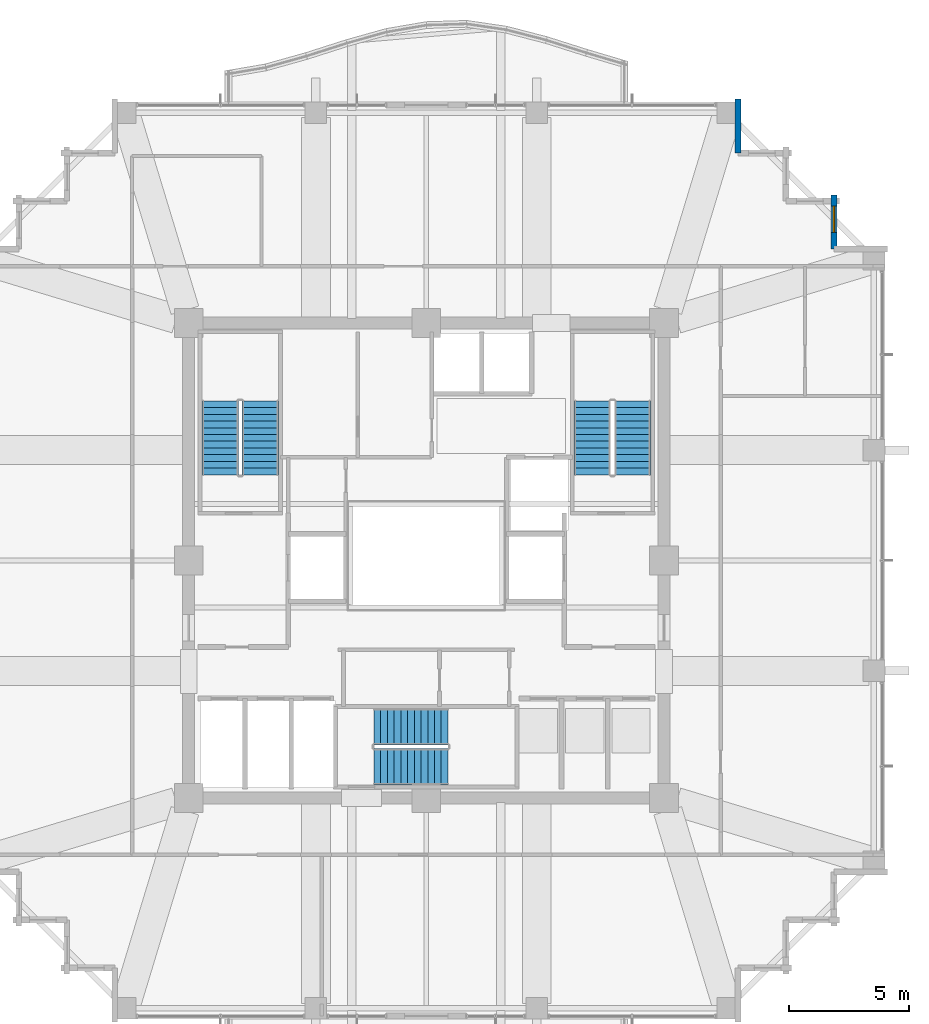
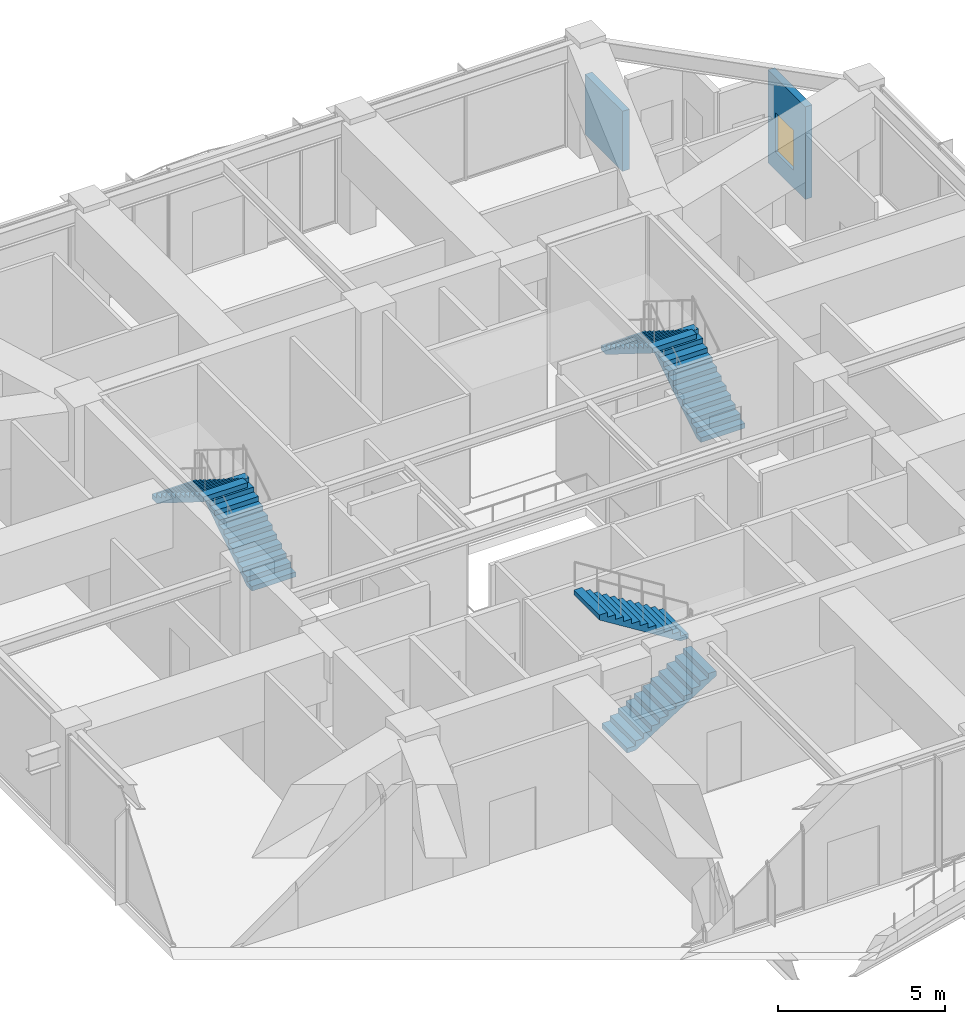
# One storey, part 30 of 33: 6 stair flights, 2 walls, 1 window, 1 opening, 3 elements without a shape of their own.
"""IFC4 building model written with IfcOpenShell, lengths in metres."""

import ifcopenshell
import ifcopenshell.guid

model = None  # the IFC model being written
_history = None  # IfcOwnerHistory: only IFC2X3 demands one
_inside = {}  # id of a spatial element -> (the spatial element, [elements in it])
_under = {}  # id of a project, library or spatial element -> (it, [spatial elements below it])
_declared = {}  # id of a project -> (the project, [libraries it declares])
_typed = {}  # id of a type object -> (the type object, [elements of that type])
_made_of = {}  # id of a material, layer set ... -> (it, [elements and type objects made of it])


def new_model(schema):
    """Start an empty IFC model of exactly this schema.

    Asked for "IFC4X3", IfcOpenShell would pick the latest addendum, in which some entities
    have other attributes; the version numbers below select the first issue.
    IFC2X3 requires an IfcOwnerHistory on every rooted entity: one is made here for all.
    """
    global model, _history
    if schema == "IFC4X3":
        model = ifcopenshell.file(schema_version=(4, 3, 0, 0))
    else:
        model = ifcopenshell.file(schema=schema)
    _inside.clear()
    _under.clear()
    _declared.clear()
    _typed.clear()
    _made_of.clear()
    _history = None
    if model.schema == "IFC2X3":
        org = make("IfcOrganization", Name="unknown")
        user = make(
            "IfcPersonAndOrganization",
            ThePerson=make("IfcPerson", FamilyName="unknown"),
            TheOrganization=org,
        )
        app = make(
            "IfcApplication",
            ApplicationDeveloper=org,
            Version="unknown",
            ApplicationFullName="unknown",
            ApplicationIdentifier="unknown",
        )
        _history = make(
            "IfcOwnerHistory",
            OwningUser=user,
            OwningApplication=app,
            ChangeAction="ADDED",
            CreationDate=0,
        )
    return model


def make(cls, **values):
    """One entity of the class cls with the attributes given. An attribute that is None is left unset."""
    return model.create_entity(
        cls, **{name: value for name, value in values.items() if value is not None}
    )


def rooted(cls, **values):
    """An entity with a GlobalId (a new one), such as an element, a storey or a relation."""
    return make(cls, GlobalId=ifcopenshell.guid.new(), OwnerHistory=_history, **values)


def si_unit(unit_type, name, prefix=None):
    """IfcSIUnit, for example si_unit("LENGTHUNIT", "METRE", prefix="MILLI")."""
    return make("IfcSIUnit", UnitType=unit_type, Prefix=prefix, Name=name)


def assignment(units):
    """IfcUnitAssignment: the units of a project."""
    return None if units is None else make("IfcUnitAssignment", Units=units)


def point(xyz):
    """IfcCartesianPoint."""
    return None if xyz is None else make("IfcCartesianPoint", Coordinates=xyz)


def direction(xyz):
    """IfcDirection."""
    return None if xyz is None else make("IfcDirection", DirectionRatios=xyz)


def frame(location, z_axis=None, x_axis=None):
    """IfcAxis2Placement3D, a coordinate frame: its origin and axes. An axis left out is left unset."""
    return make(
        "IfcAxis2Placement3D",
        Location=point(location),
        Axis=direction(z_axis),
        RefDirection=direction(x_axis),
    )


def frame_2d(location, x_axis=None):
    """IfcAxis2Placement2D, a coordinate frame in the plane: its origin and x axis."""
    return make(
        "IfcAxis2Placement2D", Location=point(location), RefDirection=direction(x_axis)
    )


def origin():
    """The frame at (0, 0, 0) with its axes left unset."""
    return frame((0.0, 0.0, 0.0))


def place(relative_to, where):
    """IfcLocalPlacement: puts the frame where relative to a parent placement (None: the world)."""
    return make(
        "IfcLocalPlacement", PlacementRelTo=relative_to, RelativePlacement=where
    )


def context(
    kind, dimensions, precision=None, world=None, true_north=None, identifier=None
):
    """IfcGeometricRepresentationContext, for example the 3D "Model" context."""
    return make(
        "IfcGeometricRepresentationContext",
        ContextIdentifier=identifier,
        ContextType=kind,
        CoordinateSpaceDimension=dimensions,
        Precision=precision,
        WorldCoordinateSystem=world,
        TrueNorth=true_north,
    )


def subcontext(parent, identifier, kind, view, scale=None):
    """IfcGeometricRepresentationSubContext, for example "Body" below "Model"."""
    return make(
        "IfcGeometricRepresentationSubContext",
        ContextIdentifier=identifier,
        ContextType=kind,
        ParentContext=parent,
        TargetScale=scale,
        TargetView=view,
    )


def project(units=None, contexts=None):
    """IfcProject with its units and contexts."""
    return rooted(
        "IfcProject",
        Name="project",
        RepresentationContexts=contexts,
        UnitsInContext=assignment(units),
    )


def spatial(cls, under=None, at=None, **own):
    """A site, building, storey or space (cls), placed at a placement, below another one or the project."""
    s = rooted(cls, ObjectPlacement=at, **own)
    if under is not None:
        _under.setdefault(under.id(), (under, []))[1].append(s)
    return s


def polyline(points):
    """IfcPolyline through the points."""
    return make("IfcPolyline", Points=[point(p) for p in points])


def profile(cls, at=None, kind="AREA", **sizes):
    """A parametric profile (cls). Its sizes go by their IFC names, for example OverallWidth=200.0."""
    return make(cls, ProfileType=kind, Position=at, **sizes)


def rectangle(**sizes):
    """IfcRectangleProfileDef."""
    return profile("IfcRectangleProfileDef", **sizes)


def outline(outer, holes=None, kind="AREA"):
    """IfcArbitraryClosedProfileDef: a profile drawn as a closed curve; with holes, ...WithVoids."""
    if holes is None:
        return make("IfcArbitraryClosedProfileDef", ProfileType=kind, OuterCurve=outer)
    return make(
        "IfcArbitraryProfileDefWithVoids",
        ProfileType=kind,
        OuterCurve=outer,
        InnerCurves=holes,
    )


def extrude(swept, where, along, depth):
    """IfcExtrudedAreaSolid: the profile swept, set in the frame where, extruded along a direction by depth."""
    return make(
        "IfcExtrudedAreaSolid",
        SweptArea=swept,
        Position=where,
        ExtrudedDirection=direction(along),
        Depth=depth,
    )


def shape(context_of_items, identifier, shape_type, items):
    """IfcShapeRepresentation: the items that make up one representation, for example the "Body"."""
    return make(
        "IfcShapeRepresentation",
        ContextOfItems=context_of_items,
        RepresentationIdentifier=identifier,
        RepresentationType=shape_type,
        Items=items,
    )


def material(Name=None, Category=None):
    """IfcMaterial."""
    return make("IfcMaterial", Name=Name, Category=Category)


def layer(
    of_material, thickness, ventilated=None, Name=None, Category=None, Priority=None
):
    """IfcMaterialLayer: one layer of a wall or slab, of a material (None: an air gap)."""
    return make(
        "IfcMaterialLayer",
        Material=of_material,
        LayerThickness=thickness,
        IsVentilated=ventilated,
        Name=Name,
        Category=Category,
        Priority=Priority,
    )


def layer_set(layers, Name=None):
    """IfcMaterialLayerSet."""
    return make("IfcMaterialLayerSet", MaterialLayers=layers, LayerSetName=Name)


def made_of(thing, what):
    """Note that an element or type object is made of a material, layer set ...; save() writes the relation."""
    if what is not None:
        _made_of.setdefault(what.id(), (what, []))[1].append(thing)
    return thing


def type_object(cls, material=None, **own):
    """A type object (cls), such as IfcWallType, which elements share."""
    return made_of(rooted(cls, **own), material)


def element(
    cls,
    number,
    at=None,
    inside=None,
    cuts=None,
    type_object=None,
    material=None,
    context=None,
    identifier="Body",
    shape_type=None,
    held_by="IfcProductDefinitionShape",
    body=None,
    shapes=None,
    **own,
):
    """One element of the class cls, such as IfcWall. Its Tag is "e" and its number.

    at: its placement. inside: the storey or other place that contains it. cuts: it is an
    opening in that element (IfcRelVoidsElement). A single representation is given by context,
    identifier, shape_type and body (its items); several are given by shapes. held_by: the class
    of the entity that holds the representations. save() writes the other relations.
    """
    e = rooted(cls, Tag="e%d" % number, ObjectPlacement=at, **own)
    if body is not None:
        shapes = [shape(context, identifier, shape_type, body)]
    if shapes is not None:
        e.Representation = make(held_by, Representations=shapes)
    if inside is not None:
        _inside.setdefault(inside.id(), (inside, []))[1].append(e)
    if cuts is not None:
        rooted(
            "IfcRelVoidsElement", RelatingBuildingElement=cuts, RelatedOpeningElement=e
        )
    if type_object is not None:
        _typed.setdefault(type_object.id(), (type_object, []))[1].append(e)
    return made_of(e, material)


def fill(opening, filler):
    """IfcRelFillsElement: the door or window that sits in an opening."""
    return rooted(
        "IfcRelFillsElement",
        RelatingOpeningElement=opening,
        RelatedBuildingElement=filler,
    )


def aggregate(whole, parts):
    """IfcRelAggregates: a whole, such as a stair, and the parts it consists of."""
    return rooted("IfcRelAggregates", RelatingObject=whole, RelatedObjects=parts)


def save(model, path):
    """Write the relations noted so far, then the file.

    IfcRelAggregates (storeys below a building ...), IfcRelContainedInSpatialStructure (elements
    in a storey), IfcRelDefinesByType, IfcRelAssociatesMaterial and IfcRelDeclares: one each for
    every whole, place, type object, material and project.
    """
    for whole, parts in _under.values():
        aggregate(whole, parts)
    for where, things in _inside.values():
        rooted(
            "IfcRelContainedInSpatialStructure",
            RelatedElements=things,
            RelatingStructure=where,
        )
    for kind, things in _typed.values():
        rooted("IfcRelDefinesByType", RelatedObjects=things, RelatingType=kind)
    for what, things in _made_of.values():
        rooted("IfcRelAssociatesMaterial", RelatedObjects=things, RelatingMaterial=what)
    for by, libraries in _declared.values():
        rooted("IfcRelDeclares", RelatingContext=by, RelatedDefinitions=libraries)
    model.write(path)


model = new_model("IFC4")

# Units and contexts
model_context = context("Model", 3, precision=1e-05, world=origin(), true_north=direction((0.0, 1.0)))
body_context = subcontext(model_context, "Body", "Model", "MODEL_VIEW")
ifc_project = project(units=[si_unit("LENGTHUNIT", "METRE"), si_unit("AREAUNIT", "SQUARE_METRE"), si_unit("VOLUMEUNIT", "CUBIC_METRE"), si_unit("PLANEANGLEUNIT", "RADIAN"), si_unit("MASSUNIT", "GRAM", prefix="KILO")], contexts=[model_context])

# Site, building, storey
site_placement = place(None, origin())
site = spatial("IfcSite", under=ifc_project, at=site_placement, CompositionType="ELEMENT")
building_placement = place(site_placement, origin())
building = spatial("IfcBuilding", under=site, at=building_placement, Name="Kolvaren Belvedere", CompositionType="ELEMENT")
storey_placement = place(building_placement, frame((0.0, 0.0, 152.699951171875)))
storey = spatial("IfcBuildingStorey", under=building, at=storey_placement, Name="L44", CompositionType="ELEMENT", Elevation=152.699951171875)

# Wall, opening, window
ifc_material_1 = material(Name="Insulated pale-metal facade wall assembly", Category="aluminium")
ifc_layer = layer(ifc_material_1, 0.239990234375)
ifc_layer_set = layer_set([ifc_layer], Name="Insulated pale-metal facade wall assembly")
wall_type = type_object("IfcWallType", Name="WL-EXT-240", PredefinedType="STANDARD", material=ifc_layer_set)
wall_1_placement = place(storey_placement, frame((16.97998046875, 15.219970703125, 0.0), z_axis=(0.0, 0.0, 1.0), x_axis=(0.0, -1.0, 0.0)))
wall_1 = element("IfcWall", 1, at=wall_1_placement, inside=storey, type_object=wall_type, Name="L44 Serrated Corner Facade Wall 10", PredefinedType="STANDARD", context=body_context, shape_type="SweptSolid", body=[
    extrude(rectangle(XDim=2.239990234375, YDim=0.239990234375, at=frame_2d((1.1201171875, 0.0))), origin(), (0.0, 0.0, 1.0), 3.383056640625),
])
opening_placement = place(wall_1_placement, frame((0.449951171875, 0.0, 0.64990234375)))
opening = element("IfcOpeningElement", 2, at=opening_placement, cuts=wall_1, Name="Opening W-1100", PredefinedType="OPENING", context=body_context, shape_type="SweptSolid", body=[
    extrude(rectangle(XDim=1.10009765625, YDim=1.449951171875, at=frame_2d((0.550048828125, 0.72509765625))), frame((0.0, 0.1298828125, 0.0), z_axis=(0.0, -1.0, 0.0), x_axis=(1.0, 0.0, 0.0)), (0.0, 0.0, 1.0), 0.260009765625),
])
ifc_material_2 = material(Name="Low-iron triple insulated glass", Category="glass")
window_type = type_object("IfcWindowType", Name="WN-CORN-1100", PartitioningType="SINGLE_PANEL", PredefinedType="WINDOW", material=ifc_material_2)
window_placement = place(opening_placement, origin())
window = element("IfcWindow", 3, at=window_placement, inside=storey, type_object=window_type, Name="L44 Serrated Corner Vision Window 10", OverallHeight=1.449951171875, OverallWidth=1.10009765625, PartitioningType="SINGLE_PANEL", PredefinedType="WINDOW", context=body_context, shape_type="SweptSolid", body=[
    extrude(rectangle(XDim=1.10009765625, YDim=1.449951171875, at=frame_2d((0.550048828125, 0.72509765625))), frame((0.0, 0.030029296875, 0.0), z_axis=(0.0, -1.0, 0.0), x_axis=(1.0, 0.0, 0.0)), (0.0, 0.0, 1.0), 0.06005859375),
])
fill(opening, window)

# Wall
wall_2_placement = place(storey_placement, frame((12.97998046875, 19.219970703125, 0.0), z_axis=(0.0, 0.0, 1.0), x_axis=(0.0, -1.0, 0.0)))
element("IfcWall", 4, at=wall_2_placement, inside=storey, type_object=wall_type, Name="L44 Serrated Corner Facade Wall 14", PredefinedType="STANDARD", context=body_context, shape_type="SweptSolid", body=[
    extrude(rectangle(XDim=2.239990234375, YDim=0.239990234375, at=frame_2d((1.1201171875, 0.0))), origin(), (0.0, 0.0, 1.0), 2.195068359375),
])

# Stair, stair flights
ifc_material_3 = material(Name="Concrete C50/60", Category="concrete")
stair_type = type_object("IfcStairType", Name="ST-CORE-1520", PredefinedType="HALF_TURN_STAIR", material=ifc_material_3)
stair_1_placement = place(storey_placement, origin())
stair_1 = element("IfcStair", 5, at=stair_1_placement, inside=storey, type_object=stair_type, Name="L44 Protected Exit Stair ST-1", PredefinedType="HALF_TURN_STAIR")
ifc_material_4 = material(Name="Concrete C50/60", Category="concrete")
stair_flight_type = type_object("IfcStairFlightType", Name="SF-STR-1520", PredefinedType="STRAIGHT", material=ifc_material_4)
stair_flight_1_placement = place(storey_placement, frame((-6.919921875, 3.570068359375, 0.0), z_axis=(0.0, 0.0, 1.0), x_axis=(0.0, 1.0, 0.0)))
stair_flight_1 = element("IfcStairFlight", 6, at=stair_flight_1_placement, type_object=stair_flight_type, Name="ST-1 flight 1", NumberOfRisers=12, NumberOfTreads=11, PredefinedType="STRAIGHT", RiserHeight=0.175, TreadLength=0.28, context=body_context, shape_type="SweptSolid", body=[
    extrude(outline(polyline([(0.0, 0.0), (0.0, 0.175048828125), (0.280029296875, 0.175048828125), (0.280029296875, 0.35009765625), (0.56005859375, 0.35009765625), (0.56005859375, 0.52490234375), (0.840087890625, 0.52490234375), (0.840087890625, 0.699951171875), (1.1201171875, 0.699951171875), (1.1201171875, 0.875), (1.39990234375, 0.875), (1.39990234375, 1.050048828125), (1.679931640625, 1.050048828125), (1.679931640625, 1.22509765625), (1.9599609375, 1.22509765625), (1.9599609375, 1.39990234375), (2.239990234375, 1.39990234375), (2.239990234375, 1.574951171875), (2.52001953125, 1.574951171875), (2.52001953125, 1.75), (2.800048828125, 1.75), (2.800048828125, 1.925048828125), (3.080078125, 1.925048828125), (3.080078125, 2.10009765625), (3.080078125, 1.748291015625), (0.28271484375, 0.0), (0.0, 0.0)])), frame((0.0, 0.760009765625, 0.0), z_axis=(0.0, -1.0, 0.0), x_axis=(1.0, 0.0, 0.0)), (0.0, 0.0, 1.0), 1.52001953125),
])
stair_flight_2_placement = place(storey_placement, frame((-8.590087890625, 6.64990234375, 2.10009765625), z_axis=(0.0, 0.0, 1.0), x_axis=(0.0, -1.0, 0.0)))
stair_flight_2 = element("IfcStairFlight", 7, at=stair_flight_2_placement, type_object=stair_flight_type, Name="ST-1 flight 2", NumberOfRisers=12, NumberOfTreads=11, PredefinedType="STRAIGHT", RiserHeight=0.175, TreadLength=0.28, context=body_context, shape_type="SweptSolid", body=[
    extrude(outline(polyline([(0.0, 0.0), (0.0, 0.175048828125), (0.280029296875, 0.175048828125), (0.280029296875, 0.35009765625), (0.56005859375, 0.35009765625), (0.56005859375, 0.52490234375), (0.840087890625, 0.52490234375), (0.840087890625, 0.699951171875), (1.1201171875, 0.699951171875), (1.1201171875, 0.875), (1.39990234375, 0.875), (1.39990234375, 1.050048828125), (1.679931640625, 1.050048828125), (1.679931640625, 1.22509765625), (1.9599609375, 1.22509765625), (1.9599609375, 1.39990234375), (2.239990234375, 1.39990234375), (2.239990234375, 1.574951171875), (2.52001953125, 1.574951171875), (2.52001953125, 1.75), (2.800048828125, 1.75), (2.800048828125, 1.925048828125), (3.080078125, 1.925048828125), (3.080078125, 2.10009765625), (3.080078125, 1.748291015625), (0.28271484375, 0.0), (0.0, 0.0)])), frame((0.0, 0.760009765625, 0.0), z_axis=(0.0, -1.0, 0.0), x_axis=(1.0, 0.0, 0.0)), (0.0, 0.0, 1.0), 1.52001953125),
])
aggregate(stair_1, [stair_flight_1, stair_flight_2])

stair_2_placement = place(storey_placement, origin())
stair_2 = element("IfcStair", 8, at=stair_2_placement, inside=storey, type_object=stair_type, Name="L44 Protected Exit Stair ST-2", PredefinedType="HALF_TURN_STAIR")
stair_flight_3_placement = place(storey_placement, frame((8.590087890625, 3.570068359375, 0.0), z_axis=(0.0, 0.0, 1.0), x_axis=(0.0, 1.0, 0.0)))
stair_flight_3 = element("IfcStairFlight", 9, at=stair_flight_3_placement, type_object=stair_flight_type, Name="ST-2 flight 1", NumberOfRisers=12, NumberOfTreads=11, PredefinedType="STRAIGHT", RiserHeight=0.175, TreadLength=0.28, context=body_context, shape_type="SweptSolid", body=[
    extrude(outline(polyline([(0.0, 0.0), (0.0, 0.175048828125), (0.280029296875, 0.175048828125), (0.280029296875, 0.35009765625), (0.56005859375, 0.35009765625), (0.56005859375, 0.52490234375), (0.840087890625, 0.52490234375), (0.840087890625, 0.699951171875), (1.1201171875, 0.699951171875), (1.1201171875, 0.875), (1.39990234375, 0.875), (1.39990234375, 1.050048828125), (1.679931640625, 1.050048828125), (1.679931640625, 1.22509765625), (1.9599609375, 1.22509765625), (1.9599609375, 1.39990234375), (2.239990234375, 1.39990234375), (2.239990234375, 1.574951171875), (2.52001953125, 1.574951171875), (2.52001953125, 1.75), (2.800048828125, 1.75), (2.800048828125, 1.925048828125), (3.080078125, 1.925048828125), (3.080078125, 2.10009765625), (3.080078125, 1.748291015625), (0.28271484375, 0.0), (0.0, 0.0)])), frame((0.0, 0.760009765625, 0.0), z_axis=(0.0, -1.0, 0.0), x_axis=(1.0, 0.0, 0.0)), (0.0, 0.0, 1.0), 1.52001953125),
])
stair_flight_4_placement = place(storey_placement, frame((6.919921875, 6.64990234375, 2.10009765625), z_axis=(0.0, 0.0, 1.0), x_axis=(0.0, -1.0, 0.0)))
stair_flight_4 = element("IfcStairFlight", 10, at=stair_flight_4_placement, type_object=stair_flight_type, Name="ST-2 flight 2", NumberOfRisers=12, NumberOfTreads=11, PredefinedType="STRAIGHT", RiserHeight=0.175, TreadLength=0.28, context=body_context, shape_type="SweptSolid", body=[
    extrude(outline(polyline([(0.0, 0.0), (0.0, 0.175048828125), (0.280029296875, 0.175048828125), (0.280029296875, 0.35009765625), (0.56005859375, 0.35009765625), (0.56005859375, 0.52490234375), (0.840087890625, 0.52490234375), (0.840087890625, 0.699951171875), (1.1201171875, 0.699951171875), (1.1201171875, 0.875), (1.39990234375, 0.875), (1.39990234375, 1.050048828125), (1.679931640625, 1.050048828125), (1.679931640625, 1.22509765625), (1.9599609375, 1.22509765625), (1.9599609375, 1.39990234375), (2.239990234375, 1.39990234375), (2.239990234375, 1.574951171875), (2.52001953125, 1.574951171875), (2.52001953125, 1.75), (2.800048828125, 1.75), (2.800048828125, 1.925048828125), (3.080078125, 1.925048828125), (3.080078125, 2.10009765625), (3.080078125, 1.748291015625), (0.28271484375, 0.0), (0.0, 0.0)])), frame((0.0, 0.760009765625, 0.0), z_axis=(0.0, -1.0, 0.0), x_axis=(1.0, 0.0, 0.0)), (0.0, 0.0, 1.0), 1.52001953125),
])
aggregate(stair_2, [stair_flight_3, stair_flight_4])

stair_3_placement = place(storey_placement, origin())
stair_3 = element("IfcStair", 11, at=stair_3_placement, inside=storey, type_object=stair_type, Name="L44 Protected Exit Stair ST-3", PredefinedType="HALF_TURN_STAIR")
stair_flight_5_placement = place(storey_placement, frame((-2.179931640625, -8.590087890625, 0.0), z_axis=(0.0, 0.0, 1.0), x_axis=(1.0, 0.0, 0.0)))
stair_flight_5 = element("IfcStairFlight", 12, at=stair_flight_5_placement, type_object=stair_flight_type, Name="ST-3 flight 1", NumberOfRisers=12, NumberOfTreads=11, PredefinedType="STRAIGHT", RiserHeight=0.175, TreadLength=0.28, context=body_context, shape_type="SweptSolid", body=[
    extrude(outline(polyline([(0.0, 0.0), (0.0, 0.175048828125), (0.280029296875, 0.175048828125), (0.280029296875, 0.35009765625), (0.56005859375, 0.35009765625), (0.56005859375, 0.52490234375), (0.840087890625, 0.52490234375), (0.840087890625, 0.699951171875), (1.1201171875, 0.699951171875), (1.1201171875, 0.875), (1.39990234375, 0.875), (1.39990234375, 1.050048828125), (1.679931640625, 1.050048828125), (1.679931640625, 1.22509765625), (1.9599609375, 1.22509765625), (1.9599609375, 1.39990234375), (2.239990234375, 1.39990234375), (2.239990234375, 1.574951171875), (2.52001953125, 1.574951171875), (2.52001953125, 1.75), (2.800048828125, 1.75), (2.800048828125, 1.925048828125), (3.080078125, 1.925048828125), (3.080078125, 2.10009765625), (3.080078125, 1.748291015625), (0.28271484375, 0.0), (0.0, 0.0)])), frame((0.0, 0.760009765625, 0.0), z_axis=(0.0, -1.0, 0.0), x_axis=(1.0, 0.0, 0.0)), (0.0, 0.0, 1.0), 1.52001953125),
])
stair_flight_6_placement = place(storey_placement, frame((0.89990234375, -6.919921875, 2.10009765625), z_axis=(0.0, 0.0, 1.0), x_axis=(-1.0, 0.0, 0.0)))
stair_flight_6 = element("IfcStairFlight", 13, at=stair_flight_6_placement, type_object=stair_flight_type, Name="ST-3 flight 2", NumberOfRisers=12, NumberOfTreads=11, PredefinedType="STRAIGHT", RiserHeight=0.175, TreadLength=0.28, context=body_context, shape_type="SweptSolid", body=[
    extrude(outline(polyline([(0.0, 0.0), (0.0, 0.175048828125), (0.280029296875, 0.175048828125), (0.280029296875, 0.35009765625), (0.56005859375, 0.35009765625), (0.56005859375, 0.52490234375), (0.840087890625, 0.52490234375), (0.840087890625, 0.699951171875), (1.1201171875, 0.699951171875), (1.1201171875, 0.875), (1.39990234375, 0.875), (1.39990234375, 1.050048828125), (1.679931640625, 1.050048828125), (1.679931640625, 1.22509765625), (1.9599609375, 1.22509765625), (1.9599609375, 1.39990234375), (2.239990234375, 1.39990234375), (2.239990234375, 1.574951171875), (2.52001953125, 1.574951171875), (2.52001953125, 1.75), (2.800048828125, 1.75), (2.800048828125, 1.925048828125), (3.080078125, 1.925048828125), (3.080078125, 2.10009765625), (3.080078125, 1.748291015625), (0.28271484375, 0.0), (0.0, 0.0)])), frame((0.0, 0.760009765625, 0.0), z_axis=(0.0, -1.0, 0.0), x_axis=(1.0, 0.0, 0.0)), (0.0, 0.0, 1.0), 1.52001953125),
])
aggregate(stair_3, [stair_flight_5, stair_flight_6])

save(model, "model.ifc")
